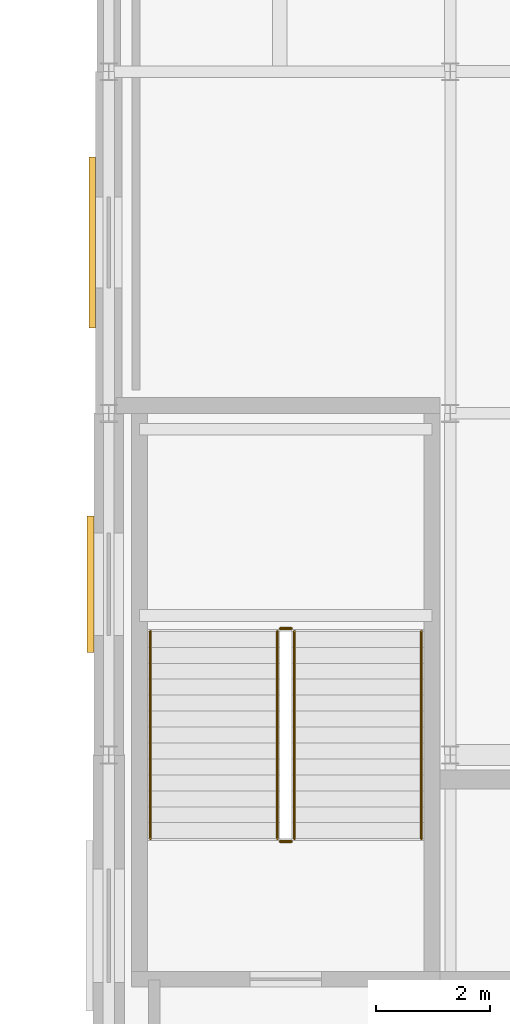
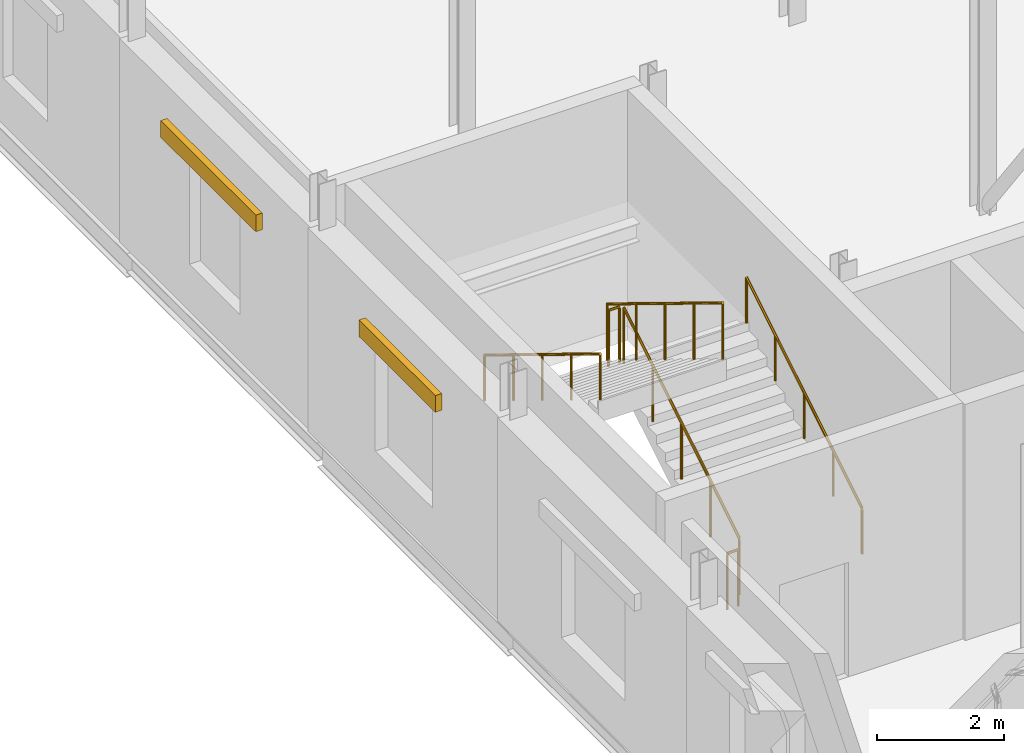
# One storey, part 112 of 114: 6 railings, 2 shading devices.
"""IFC4 building model written with IfcOpenShell, lengths in metres."""

from ifc_helpers import new_model, si_unit, direction, frame, origin, origin_2d, place, context, subcontext, project, spatial, rectangle, circle, extrude, material, type_object, element, save


model = new_model("IFC4")

# Units and contexts
model_context = context("Model", 3, precision=1e-05, world=origin(), true_north=direction((0.0, 1.0)))
body_context = subcontext(model_context, "Body", "Model", "MODEL_VIEW")
ifc_project = project(units=[si_unit("LENGTHUNIT", "METRE"), si_unit("AREAUNIT", "SQUARE_METRE"), si_unit("VOLUMEUNIT", "CUBIC_METRE"), si_unit("PLANEANGLEUNIT", "RADIAN"), si_unit("MASSUNIT", "GRAM", prefix="KILO")], contexts=[model_context])

# Site, building, storey
site_placement = place(None, origin())
site = spatial("IfcSite", under=ifc_project, at=site_placement, CompositionType="ELEMENT")
building_placement = place(site_placement, origin())
building = spatial("IfcBuilding", under=site, at=building_placement, Name="Verrall Gate Interchange", CompositionType="ELEMENT")
storey_placement = place(building_placement, frame((0.0, 0.0, 6.60009765625)))
storey = spatial("IfcBuildingStorey", under=building, at=storey_placement, Name="L02", CompositionType="ELEMENT", Elevation=6.60009765625)

# Railings
ifc_material_1 = material(Name="Brushed Stainless-Steel Guardrail and Handrail System", Category="steel")
railing_type_1 = type_object("IfcRailingType", Name="GR-02 Interior Atrium and Stair Guardrail 1100", PredefinedType="GUARDRAIL", material=ifc_material_1)
railing_1_placement = place(storey_placement, frame((135.260009765625, 20.530029296875, 0.17138671875)))
element("IfcRailing", 1, at=railing_1_placement, inside=storey, type_object=railing_type_1, Name="L02 ST-08 stair guard 1", PredefinedType="GUARDRAIL", context=body_context, shape_type="SweptSolid", body=[
    extrude(circle(Radius=0.02392578125, at=origin_2d()), frame((0.0, 0.0, 1.076171875), z_axis=(0.0, 0.852850264322, 0.5221555579), x_axis=(-1.0, 0.0, 0.0)), (0.0, 0.0, 1.0), 4.267822265625),
    extrude(circle(Radius=0.02099609375, at=origin_2d()), origin(), (0.0, 0.0, 1.0), 1.052001953125),
    extrude(circle(Radius=0.02099609375, at=origin_2d()), frame((0.0, 0.909912109375, 0.55712890625)), (0.0, 0.0, 1.0), 1.052001953125),
    extrude(circle(Radius=0.02099609375, at=origin_2d()), frame((0.0, 1.81982421875, 1.1142578125)), (0.0, 0.0, 1.0), 1.052001953125),
    extrude(circle(Radius=0.02099609375, at=origin_2d()), frame((0.0, 2.72998046875, 1.67138671875)), (0.0, 0.0, 1.0), 1.052001953125),
    extrude(circle(Radius=0.02099609375, at=origin_2d()), frame((0.0, 3.639892578125, 2.228515625)), (0.0, 0.0, 1.0), 1.052001953125),
])
railing_2_placement = place(storey_placement, frame((135.2099609375, 24.219970703125, 2.39990234375)))
element("IfcRailing", 2, at=railing_2_placement, inside=storey, type_object=railing_type_1, Name="L02 ST-08 stair guard 2", PredefinedType="GUARDRAIL", context=body_context, shape_type="SweptSolid", body=[
    extrude(circle(Radius=0.02392578125, at=origin_2d()), frame((0.0, 0.0, 1.076171875), z_axis=(-1.0, 0.0, 0.0), x_axis=(0.0, -1.0, 0.0)), (0.0, 0.0, 1.0), 0.199951171875),
    extrude(circle(Radius=0.02099609375, at=origin_2d()), origin(), (0.0, 0.0, 1.0), 1.052001953125),
    extrude(circle(Radius=0.02099609375, at=origin_2d()), frame((-0.199951171875, 0.0, 0.0)), (0.0, 0.0, 1.0), 1.052001953125),
])
railing_3_placement = place(storey_placement, frame((134.9599609375, 24.169921875, 2.5712890625)))
element("IfcRailing", 3, at=railing_3_placement, inside=storey, type_object=railing_type_1, Name="L02 ST-08 stair guard 3", PredefinedType="GUARDRAIL", context=body_context, shape_type="SweptSolid", body=[
    extrude(circle(Radius=0.02392578125, at=origin_2d()), frame((0.0, 0.0, 1.076171875), z_axis=(0.0, -0.852850264322, 0.5221555579), x_axis=(1.0, 0.0, 0.0)), (0.0, 0.0, 1.0), 4.267822265625),
    extrude(circle(Radius=0.02099609375, at=origin_2d()), origin(), (0.0, 0.0, 1.0), 1.052001953125),
    extrude(circle(Radius=0.02099609375, at=origin_2d()), frame((0.0, -0.909912109375, 0.55712890625)), (0.0, 0.0, 1.0), 1.052001953125),
    extrude(circle(Radius=0.02099609375, at=origin_2d()), frame((0.0, -1.81982421875, 1.1142578125)), (0.0, 0.0, 1.0), 1.052001953125),
    extrude(circle(Radius=0.02099609375, at=origin_2d()), frame((0.0, -2.72998046875, 1.67138671875)), (0.0, 0.0, 1.0), 1.052001953125),
    extrude(circle(Radius=0.02099609375, at=origin_2d()), frame((0.0, -3.639892578125, 2.228515625)), (0.0, 0.0, 1.0), 1.052001953125),
])
railing_4_placement = place(storey_placement, frame((135.2099609375, 20.47998046875, 0.0)))
element("IfcRailing", 4, at=railing_4_placement, inside=storey, type_object=railing_type_1, Name="L02 ST-08 stair guard 4", PredefinedType="GUARDRAIL", context=body_context, shape_type="SweptSolid", body=[
    extrude(circle(Radius=0.02392578125, at=origin_2d()), frame((0.0, 0.0, 1.076171875), z_axis=(-1.0, 0.0, 0.0), x_axis=(0.0, -1.0, 0.0)), (0.0, 0.0, 1.0), 0.199951171875),
    extrude(circle(Radius=0.02099609375, at=origin_2d()), origin(), (0.0, 0.0, 1.0), 1.052001953125),
    extrude(circle(Radius=0.02099609375, at=origin_2d()), frame((-0.199951171875, 0.0, 0.0)), (0.0, 0.0, 1.0), 1.052001953125),
])
ifc_material_2 = material(Name="Brushed Stainless-Steel Guardrail and Handrail System", Category="steel")
railing_type_2 = type_object("IfcRailingType", Name="HR-01 Stair and Ramp Pitch-Line Handrail 920", PredefinedType="HANDRAIL", material=ifc_material_2)
railing_5_placement = place(storey_placement, frame((137.489990234375, 20.530029296875, 0.17138671875)))
element("IfcRailing", 5, at=railing_5_placement, inside=storey, type_object=railing_type_2, Name="L02 ST-08 stair handrail 1", PredefinedType="HANDRAIL", context=body_context, shape_type="SweptSolid", body=[
    extrude(circle(Radius=0.02392578125, at=origin_2d()), frame((0.0, 0.0, 0.8759765625), z_axis=(0.0, 0.852850264322, 0.5221555579), x_axis=(-1.0, 0.0, 0.0)), (0.0, 0.0, 1.0), 4.267822265625),
    extrude(circle(Radius=0.02099609375, at=origin_2d()), origin(), (0.0, 0.0, 1.0), 0.851806640625),
    extrude(circle(Radius=0.02099609375, at=origin_2d()), frame((0.0, 0.909912109375, 0.55712890625)), (0.0, 0.0, 1.0), 0.851806640625),
    extrude(circle(Radius=0.02099609375, at=origin_2d()), frame((0.0, 1.81982421875, 1.1142578125)), (0.0, 0.0, 1.0), 0.851806640625),
    extrude(circle(Radius=0.02099609375, at=origin_2d()), frame((0.0, 2.72998046875, 1.67138671875)), (0.0, 0.0, 1.0), 0.851806640625),
    extrude(circle(Radius=0.02099609375, at=origin_2d()), frame((0.0, 3.639892578125, 2.228515625)), (0.0, 0.0, 1.0), 0.851806640625),
])
railing_6_placement = place(storey_placement, frame((132.72998046875, 24.169921875, 2.5712890625)))
element("IfcRailing", 6, at=railing_6_placement, inside=storey, type_object=railing_type_2, Name="L02 ST-08 stair handrail 2", PredefinedType="HANDRAIL", context=body_context, shape_type="SweptSolid", body=[
    extrude(circle(Radius=0.02392578125, at=origin_2d()), frame((0.0, 0.0, 0.8759765625), z_axis=(0.0, -0.852850264322, 0.5221555579), x_axis=(1.0, 0.0, 0.0)), (0.0, 0.0, 1.0), 4.267822265625),
    extrude(circle(Radius=0.02099609375, at=origin_2d()), origin(), (0.0, 0.0, 1.0), 0.851806640625),
    extrude(circle(Radius=0.02099609375, at=origin_2d()), frame((0.0, -0.909912109375, 0.55712890625)), (0.0, 0.0, 1.0), 0.851806640625),
    extrude(circle(Radius=0.02099609375, at=origin_2d()), frame((0.0, -1.81982421875, 1.1142578125)), (0.0, 0.0, 1.0), 0.851806640625),
    extrude(circle(Radius=0.02099609375, at=origin_2d()), frame((0.0, -2.72998046875, 1.67138671875)), (0.0, 0.0, 1.0), 0.851806640625),
    extrude(circle(Radius=0.02099609375, at=origin_2d()), frame((0.0, -3.639892578125, 2.228515625)), (0.0, 0.0, 1.0), 0.851806640625),
])

# Shading devices
ifc_material_3 = material(Name="Architectural Bronze Anodized Extruded Louvre Assembly", Category="aluminium")
shading_device_type_1 = type_object("IfcShadingDeviceType", Name="LV-01 Architectural Intake Louvre 2400x1200", PredefinedType="JALOUSIE", material=ifc_material_3)
shading_device_1_placement = place(storey_placement, frame((131.679931640625, 25.0, 2.9599609375), z_axis=(0.0, 0.0, 1.0), x_axis=(0.0, -1.0, 0.0)))
element("IfcShadingDevice", 7, at=shading_device_1_placement, inside=storey, type_object=shading_device_type_1, Name="L02 Architectural Bronze Brise-Soleil Louvre 015", PredefinedType="JALOUSIE", context=body_context, shape_type="SweptSolid", body=[
    extrude(rectangle(XDim=2.39990234375, YDim=0.1201171875, at=origin_2d()), origin(), (0.0, 0.0, 1.0), 0.320068359375),
])
ifc_material_4 = material(Name="Architectural Bronze Anodized Extruded Louvre Assembly", Category="aluminium")
shading_device_type_2 = type_object("IfcShadingDeviceType", Name="LV-02 Architectural Intake Louvre 3000x1400", PredefinedType="JALOUSIE", material=ifc_material_4)
shading_device_2_placement = place(storey_placement, frame((131.7099609375, 31.0, 2.9599609375), z_axis=(0.0, 0.0, 1.0), x_axis=(0.0, -1.0, 0.0)))
element("IfcShadingDevice", 8, at=shading_device_2_placement, inside=storey, type_object=shading_device_type_2, Name="L02 Architectural Bronze Brise-Soleil Louvre 014", PredefinedType="JALOUSIE", context=body_context, shape_type="SweptSolid", body=[
    extrude(rectangle(XDim=3.0, YDim=0.1201171875, at=origin_2d()), origin(), (0.0, 0.0, 1.0), 0.320068359375),
])

save(model, "model.ifc")
